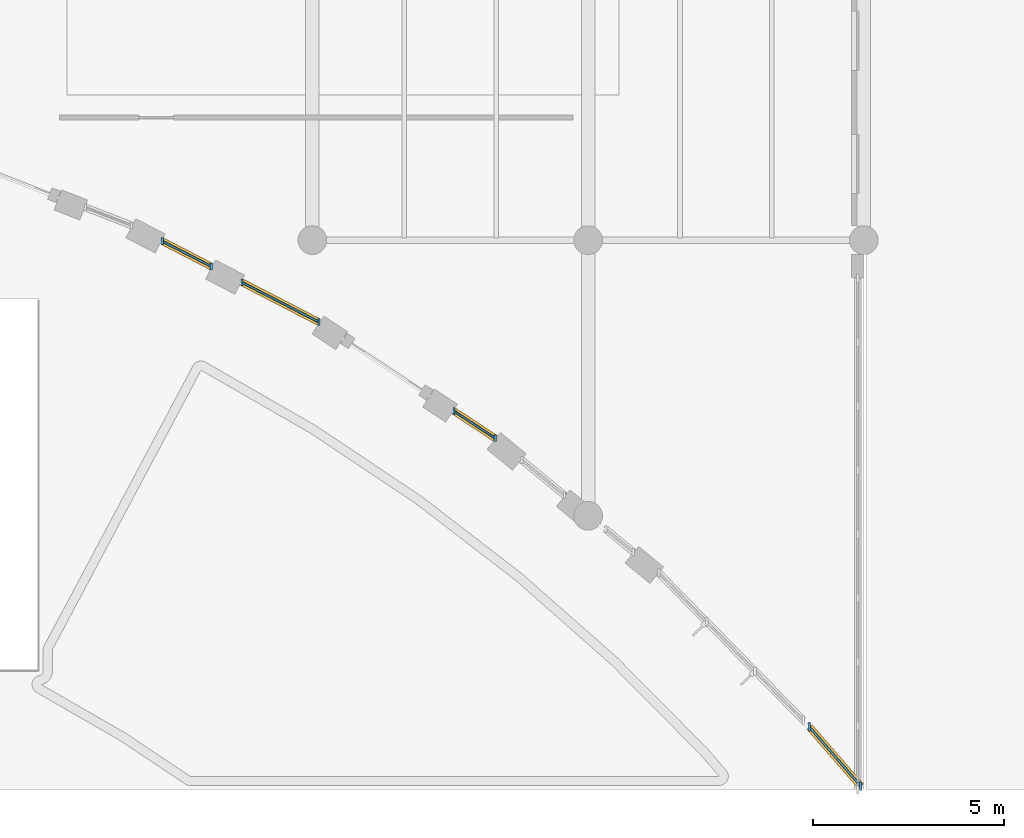
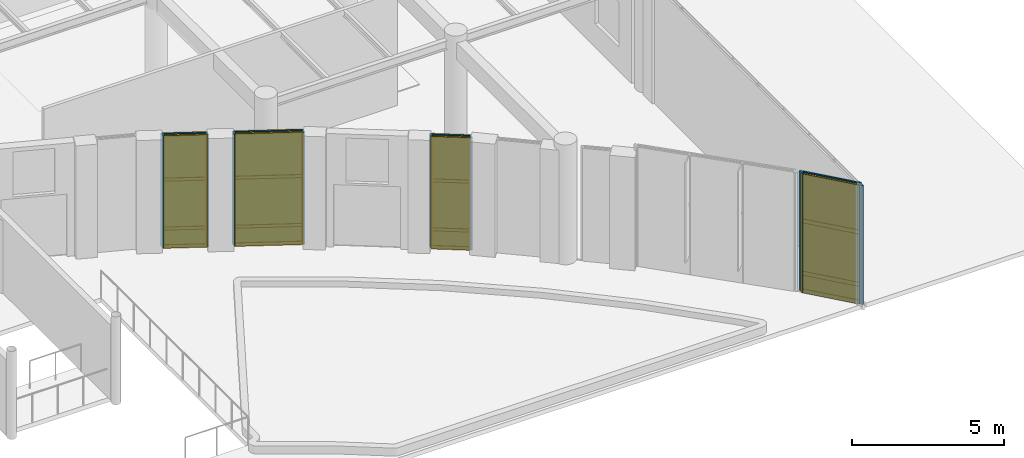
# One storey, part 79 of 122: 24 members, 12 plates, 4 curtain walls.
"""IFC4 building model written with IfcOpenShell, lengths in metres."""

from ifc_helpers import new_model, si_unit, direction, frame, frame_2d, origin, origin_2d, place, context, subcontext, project, spatial, rectangle, extrude, material, layer, layer_set, material_profile, profile_set, type_object, element, aggregate, save


model = new_model("IFC4")

# Units and contexts
model_context = context("Model", 3, precision=1e-05, world=origin(), true_north=direction((0.0, 1.0)))
body_context = subcontext(model_context, "Body", "Model", "MODEL_VIEW")
ifc_project = project(units=[si_unit("LENGTHUNIT", "METRE"), si_unit("AREAUNIT", "SQUARE_METRE"), si_unit("VOLUMEUNIT", "CUBIC_METRE"), si_unit("PLANEANGLEUNIT", "RADIAN"), si_unit("MASSUNIT", "GRAM", prefix="KILO")], contexts=[model_context])

# Member
ifc_material_1 = material(Name="Anodised Bronze Aluminium 6063-T6", Category="aluminium")
ifc_material_profile_1 = material_profile(ifc_material_1, rectangle(XDim=0.070068359375, YDim=0.219970703125, at=origin_2d()), Name="ALU MULLION 70x220")
ifc_profile_set_1 = profile_set([ifc_material_profile_1], Name="Anodised Bronze Aluminium 6063-T6")
member_type_1 = type_object("IfcMemberType", Name="Curtain-Wall Heavy Mullion 70x220", PredefinedType="MULLION", material=ifc_profile_set_1)
site_placement = place(None, origin())
building_placement = place(site_placement, origin())
storey_placement = place(building_placement, origin())
member_1_placement = place(storey_placement, frame((115.57861328125, 3.089111328125, 0.0), z_axis=(0.0, 0.0, 1.0), x_axis=(1.0, 0.0, 0.0)))
member_1 = element("IfcMember", 1, at=member_1_placement, type_object=member_type_1, Name="Mullion CWM-02 CW-V5-CRN-L00-C18-M01", PredefinedType="MULLION", context=body_context, shape_type="SweptSolid", body=[
    extrude(rectangle(XDim=0.070068359375, YDim=0.219970703125, at=origin_2d()), origin(), (0.0, 0.0, 1.0), 4.780029296875),
])

member_2_placement = place(storey_placement, frame((116.92138671875, 1.540771484375, 0.0), z_axis=(0.0, 0.0, 1.0), x_axis=(1.0, 0.0, 0.0)))
member_2 = element("IfcMember", 2, at=member_2_placement, type_object=member_type_1, Name="Mullion CWM-02 CW-V5-CRN-L00-C18-M02", PredefinedType="MULLION", context=body_context, shape_type="SweptSolid", body=[
    extrude(rectangle(XDim=0.070068359375, YDim=0.219970703125, at=origin_2d()), origin(), (0.0, 0.0, 1.0), 4.780029296875),
])

ifc_material_profile_2 = material_profile(ifc_material_1, rectangle(XDim=0.06005859375, YDim=0.159912109375, at=origin_2d()), Name="ALU TRANSOM 60x160")
ifc_profile_set_2 = profile_set([ifc_material_profile_2], Name="Anodised Bronze Aluminium 6063-T6")
member_type_2 = type_object("IfcMemberType", Name="Curtain-Wall Heavy Transom 60x160", PredefinedType="USERDEFINED", material=ifc_profile_set_2)
member_3_placement = place(storey_placement, frame((115.6015625, 3.062744140625, 0.0400390625), z_axis=(0.655127718536, -0.755518148297, 0.0), x_axis=(0.755518148297, 0.655127718536, 0.0)))
member_3 = element("IfcMember", 3, at=member_3_placement, type_object=member_type_2, Name="Transom CWT-02 CW-V5-CRN-L00-C18-T01.1", ObjectType="TRANSOM", PredefinedType="USERDEFINED", context=body_context, shape_type="SweptSolid", body=[
    extrude(rectangle(XDim=0.06005859375, YDim=0.159912109375, at=origin_2d()), origin(), (0.0, 0.0, 1.0), 1.9794921875),
])

member_4_placement = place(storey_placement, frame((115.6015625, 3.062744140625, 0.75), z_axis=(0.655127718536, -0.755518148297, 0.0), x_axis=(0.755518148297, 0.655127718536, 0.0)))
member_4 = element("IfcMember", 4, at=member_4_placement, type_object=member_type_2, Name="Transom CWT-02 CW-V5-CRN-L00-C18-T01.2", ObjectType="TRANSOM", PredefinedType="USERDEFINED", context=body_context, shape_type="SweptSolid", body=[
    extrude(rectangle(XDim=0.06005859375, YDim=0.159912109375, at=origin_2d()), origin(), (0.0, 0.0, 1.0), 1.9794921875),
])

member_5_placement = place(storey_placement, frame((115.6015625, 3.062744140625, 2.845703125), z_axis=(0.655127718536, -0.755518148297, 0.0), x_axis=(0.755518148297, 0.655127718536, 0.0)))
member_5 = element("IfcMember", 5, at=member_5_placement, type_object=member_type_2, Name="Transom CWT-02 CW-V5-CRN-L00-C18-T01.3", ObjectType="TRANSOM", PredefinedType="USERDEFINED", context=body_context, shape_type="SweptSolid", body=[
    extrude(rectangle(XDim=0.06005859375, YDim=0.159912109375, at=origin_2d()), origin(), (0.0, 0.0, 1.0), 1.9794921875),
])

member_6_placement = place(storey_placement, frame((115.6015625, 3.062744140625, 4.739990234375), z_axis=(0.655127718536, -0.755518148297, 0.0), x_axis=(0.755518148297, 0.655127718536, 0.0)))
member_6 = element("IfcMember", 6, at=member_6_placement, type_object=member_type_2, Name="Transom CWT-02 CW-V5-CRN-L00-C18-T01.4", ObjectType="TRANSOM", PredefinedType="USERDEFINED", context=body_context, shape_type="SweptSolid", body=[
    extrude(rectangle(XDim=0.06005859375, YDim=0.159912109375, at=origin_2d()), origin(), (0.0, 0.0, 1.0), 1.9794921875),
])

ifc_material_profile_3 = material_profile(ifc_material_1, rectangle(XDim=0.06005859375, YDim=0.1201171875, at=origin_2d()), Name="ALU TRANSOM 60x120")
ifc_profile_set_3 = profile_set([ifc_material_profile_3], Name="Anodised Bronze Aluminium 6063-T6")
member_type_3 = type_object("IfcMemberType", Name="Curtain-Wall Light Transom 60x120", PredefinedType="USERDEFINED", material=ifc_profile_set_3)
member_7_placement = place(storey_placement, frame((98.707763671875, 15.759521484375, 0.0400390625), z_axis=(0.888380031198, -0.459108832596, 0.0), x_axis=(0.459108832596, 0.888380031198, 0.0)))
member_7 = element("IfcMember", 7, at=member_7_placement, type_object=member_type_3, Name="Transom CWT-03 CW-V5-SLOT-C14-1-T01.1", ObjectType="TRANSOM", PredefinedType="USERDEFINED", context=body_context, shape_type="SweptSolid", body=[
    extrude(rectangle(XDim=0.06005859375, YDim=0.1201171875, at=origin_2d()), origin(), (0.0, 0.0, 1.0), 1.37451171875),
])

member_8_placement = place(storey_placement, frame((98.707763671875, 15.759521484375, 0.75), z_axis=(0.888380031198, -0.459108832596, 0.0), x_axis=(0.459108832596, 0.888380031198, 0.0)))
member_8 = element("IfcMember", 8, at=member_8_placement, type_object=member_type_3, Name="Transom CWT-03 CW-V5-SLOT-C14-1-T01.2", ObjectType="TRANSOM", PredefinedType="USERDEFINED", context=body_context, shape_type="SweptSolid", body=[
    extrude(rectangle(XDim=0.06005859375, YDim=0.1201171875, at=origin_2d()), origin(), (0.0, 0.0, 1.0), 1.37451171875),
])

member_9_placement = place(storey_placement, frame((98.707763671875, 15.759521484375, 2.71044921875), z_axis=(0.888380031198, -0.459108832596, 0.0), x_axis=(0.459108832596, 0.888380031198, 0.0)))
member_9 = element("IfcMember", 9, at=member_9_placement, type_object=member_type_3, Name="Transom CWT-03 CW-V5-SLOT-C14-1-T01.3", ObjectType="TRANSOM", PredefinedType="USERDEFINED", context=body_context, shape_type="SweptSolid", body=[
    extrude(rectangle(XDim=0.06005859375, YDim=0.1201171875, at=origin_2d()), origin(), (0.0, 0.0, 1.0), 1.37451171875),
])

member_10_placement = place(storey_placement, frame((98.707763671875, 15.759521484375, 4.47998046875), z_axis=(0.888380031198, -0.459108832596, 0.0), x_axis=(0.459108832596, 0.888380031198, 0.0)))
member_10 = element("IfcMember", 10, at=member_10_placement, type_object=member_type_3, Name="Transom CWT-03 CW-V5-SLOT-C14-1-T01.4", ObjectType="TRANSOM", PredefinedType="USERDEFINED", context=body_context, shape_type="SweptSolid", body=[
    extrude(rectangle(XDim=0.06005859375, YDim=0.1201171875, at=origin_2d()), origin(), (0.0, 0.0, 1.0), 1.37451171875),
])

member_11_placement = place(storey_placement, frame((100.790771484375, 14.68310546875, 0.0400390625), z_axis=(0.888363152482, -0.459141491604, 0.0), x_axis=(0.459141491604, 0.888363152482, 0.0)))
member_11 = element("IfcMember", 11, at=member_11_placement, type_object=member_type_3, Name="Transom CWT-03 CW-V5-SLOT-C14-2-T01.1", ObjectType="TRANSOM", PredefinedType="USERDEFINED", context=body_context, shape_type="SweptSolid", body=[
    extrude(rectangle(XDim=0.06005859375, YDim=0.1201171875, at=origin_2d()), origin(), (0.0, 0.0, 1.0), 2.195068359375),
])

member_12_placement = place(storey_placement, frame((100.790771484375, 14.68310546875, 0.75), z_axis=(0.888363152482, -0.459141491604, 0.0), x_axis=(0.459141491604, 0.888363152482, 0.0)))
member_12 = element("IfcMember", 12, at=member_12_placement, type_object=member_type_3, Name="Transom CWT-03 CW-V5-SLOT-C14-2-T01.2", ObjectType="TRANSOM", PredefinedType="USERDEFINED", context=body_context, shape_type="SweptSolid", body=[
    extrude(rectangle(XDim=0.06005859375, YDim=0.1201171875, at=origin_2d()), origin(), (0.0, 0.0, 1.0), 2.195068359375),
])

member_13_placement = place(storey_placement, frame((100.790771484375, 14.68310546875, 2.71044921875), z_axis=(0.888363152482, -0.459141491604, 0.0), x_axis=(0.459141491604, 0.888363152482, 0.0)))
member_13 = element("IfcMember", 13, at=member_13_placement, type_object=member_type_3, Name="Transom CWT-03 CW-V5-SLOT-C14-2-T01.3", ObjectType="TRANSOM", PredefinedType="USERDEFINED", context=body_context, shape_type="SweptSolid", body=[
    extrude(rectangle(XDim=0.06005859375, YDim=0.1201171875, at=origin_2d()), origin(), (0.0, 0.0, 1.0), 2.195068359375),
])

member_14_placement = place(storey_placement, frame((100.790771484375, 14.68310546875, 4.47998046875), z_axis=(0.888363152482, -0.459141491604, 0.0), x_axis=(0.459141491604, 0.888363152482, 0.0)))
member_14 = element("IfcMember", 14, at=member_14_placement, type_object=member_type_3, Name="Transom CWT-03 CW-V5-SLOT-C14-2-T01.4", ObjectType="TRANSOM", PredefinedType="USERDEFINED", context=body_context, shape_type="SweptSolid", body=[
    extrude(rectangle(XDim=0.06005859375, YDim=0.1201171875, at=origin_2d()), origin(), (0.0, 0.0, 1.0), 2.195068359375),
])

member_15_placement = place(storey_placement, frame((106.32470703125, 11.318115234375, 0.0400390625), z_axis=(0.834872493483, -0.550443384579, 0.0), x_axis=(0.550443384579, 0.834872493483, 0.0)))
member_15 = element("IfcMember", 15, at=member_15_placement, type_object=member_type_3, Name="Transom CWT-03 CW-V5-SLOT-C15-2-T01.1", ObjectType="TRANSOM", PredefinedType="USERDEFINED", context=body_context, shape_type="SweptSolid", body=[
    extrude(rectangle(XDim=0.06005859375, YDim=0.1201171875, at=origin_2d()), origin(), (0.0, 0.0, 1.0), 1.2197265625),
])

member_16_placement = place(storey_placement, frame((106.32470703125, 11.318115234375, 0.75), z_axis=(0.834872493483, -0.550443384579, 0.0), x_axis=(0.550443384579, 0.834872493483, 0.0)))
member_16 = element("IfcMember", 16, at=member_16_placement, type_object=member_type_3, Name="Transom CWT-03 CW-V5-SLOT-C15-2-T01.2", ObjectType="TRANSOM", PredefinedType="USERDEFINED", context=body_context, shape_type="SweptSolid", body=[
    extrude(rectangle(XDim=0.06005859375, YDim=0.1201171875, at=origin_2d()), origin(), (0.0, 0.0, 1.0), 1.2197265625),
])

member_17_placement = place(storey_placement, frame((106.32470703125, 11.318115234375, 2.71044921875), z_axis=(0.834872493483, -0.550443384579, 0.0), x_axis=(0.550443384579, 0.834872493483, 0.0)))
member_17 = element("IfcMember", 17, at=member_17_placement, type_object=member_type_3, Name="Transom CWT-03 CW-V5-SLOT-C15-2-T01.3", ObjectType="TRANSOM", PredefinedType="USERDEFINED", context=body_context, shape_type="SweptSolid", body=[
    extrude(rectangle(XDim=0.06005859375, YDim=0.1201171875, at=origin_2d()), origin(), (0.0, 0.0, 1.0), 1.2197265625),
])

member_18_placement = place(storey_placement, frame((106.32470703125, 11.318115234375, 4.47998046875), z_axis=(0.834872493483, -0.550443384579, 0.0), x_axis=(0.550443384579, 0.834872493483, 0.0)))
member_18 = element("IfcMember", 18, at=member_18_placement, type_object=member_type_3, Name="Transom CWT-03 CW-V5-SLOT-C15-2-T01.4", ObjectType="TRANSOM", PredefinedType="USERDEFINED", context=body_context, shape_type="SweptSolid", body=[
    extrude(rectangle(XDim=0.06005859375, YDim=0.1201171875, at=origin_2d()), origin(), (0.0, 0.0, 1.0), 1.2197265625),
])

ifc_material_profile_4 = material_profile(ifc_material_1, rectangle(XDim=0.06005859375, YDim=0.179931640625, at=origin_2d()), Name="ALU MULLION 60x180")
ifc_profile_set_4 = profile_set([ifc_material_profile_4], Name="Anodised Bronze Aluminium 6063-T6")
member_type_4 = type_object("IfcMemberType", Name="Curtain-Wall Primary Mullion 60x180", PredefinedType="MULLION", material=ifc_profile_set_4)
member_19_placement = place(storey_placement, frame((98.676513671875, 15.775634765625, 0.0), z_axis=(0.0, 0.0, 1.0), x_axis=(1.0, 0.0, 0.0)))
member_19 = element("IfcMember", 19, at=member_19_placement, type_object=member_type_4, Name="Mullion CWM-01 CW-V5-SLOT-C14-1-M01", PredefinedType="MULLION", context=body_context, shape_type="SweptSolid", body=[
    extrude(rectangle(XDim=0.06005859375, YDim=0.179931640625, at=origin_2d()), origin(), (0.0, 0.0, 1.0), 4.52001953125),
])

member_20_placement = place(storey_placement, frame((99.960205078125, 15.1123046875, 0.0), z_axis=(0.0, 0.0, 1.0), x_axis=(1.0, 0.0, 0.0)))
member_20 = element("IfcMember", 20, at=member_20_placement, type_object=member_type_4, Name="Mullion CWM-01 CW-V5-SLOT-C14-1-M02", PredefinedType="MULLION", context=body_context, shape_type="SweptSolid", body=[
    extrude(rectangle(XDim=0.06005859375, YDim=0.179931640625, at=origin_2d()), origin(), (0.0, 0.0, 1.0), 4.52001953125),
])

member_21_placement = place(storey_placement, frame((100.759765625, 14.69921875, 0.0), z_axis=(0.0, 0.0, 1.0), x_axis=(1.0, 0.0, 0.0)))
member_21 = element("IfcMember", 21, at=member_21_placement, type_object=member_type_4, Name="Mullion CWM-01 CW-V5-SLOT-C14-2-M01", PredefinedType="MULLION", context=body_context, shape_type="SweptSolid", body=[
    extrude(rectangle(XDim=0.06005859375, YDim=0.179931640625, at=origin_2d()), origin(), (0.0, 0.0, 1.0), 4.52001953125),
])

member_22_placement = place(storey_placement, frame((102.771728515625, 13.6591796875, 0.0), z_axis=(0.0, 0.0, 1.0), x_axis=(1.0, 0.0, 0.0)))
member_22 = element("IfcMember", 22, at=member_22_placement, type_object=member_type_4, Name="Mullion CWM-01 CW-V5-SLOT-C14-2-M02", PredefinedType="MULLION", context=body_context, shape_type="SweptSolid", body=[
    extrude(rectangle(XDim=0.06005859375, YDim=0.179931640625, at=origin_2d()), origin(), (0.0, 0.0, 1.0), 4.52001953125),
])

member_23_placement = place(storey_placement, frame((106.295654296875, 11.33740234375, 0.0), z_axis=(0.0, 0.0, 1.0), x_axis=(1.0, 0.0, 0.0)))
member_23 = element("IfcMember", 23, at=member_23_placement, type_object=member_type_4, Name="Mullion CWM-01 CW-V5-SLOT-C15-2-M01", PredefinedType="MULLION", context=body_context, shape_type="SweptSolid", body=[
    extrude(rectangle(XDim=0.06005859375, YDim=0.179931640625, at=origin_2d()), origin(), (0.0, 0.0, 1.0), 4.52001953125),
])

member_24_placement = place(storey_placement, frame((107.372314453125, 10.62744140625, 0.0), z_axis=(0.0, 0.0, 1.0), x_axis=(1.0, 0.0, 0.0)))
member_24 = element("IfcMember", 24, at=member_24_placement, type_object=member_type_4, Name="Mullion CWM-01 CW-V5-SLOT-C15-2-M02", PredefinedType="MULLION", context=body_context, shape_type="SweptSolid", body=[
    extrude(rectangle(XDim=0.06005859375, YDim=0.179931640625, at=origin_2d()), origin(), (0.0, 0.0, 1.0), 4.52001953125),
])

# Plate
ifc_material_2 = material(Name="Double Low-E Acoustic Laminated Glass", Category="glass")
ifc_layer_1 = layer(ifc_material_2, 0.0439453125, Name="Double Low-E Acoustic Laminated Glass")
ifc_layer_set_1 = layer_set([ifc_layer_1], Name="Double Low-E Acoustic Laminated Glass")
plate_type_1 = type_object("IfcPlateType", Name="Acoustic Laminated Low-E Glazing Unit 44", PredefinedType="CURTAIN_PANEL", material=ifc_layer_set_1)
plate_1_placement = place(storey_placement, frame((99.318359375, 15.444091796875, 0.780029296875), z_axis=(0.0, 0.0, 1.0), x_axis=(0.8883529221, -0.459161285167, 0.0)))
plate_1 = element("IfcPlate", 25, at=plate_1_placement, type_object=plate_type_1, Name="Curtain Panel CWP-01 CW-V5-SLOT-C14-1-P01.2", PredefinedType="CURTAIN_PANEL", context=body_context, shape_type="SweptSolid", body=[
    extrude(rectangle(XDim=1.374755859375, YDim=0.0439453125, at=origin_2d()), origin(), (0.0, 0.0, 1.0), 1.900390625),
])

plate_2_placement = place(storey_placement, frame((99.318359375, 15.444091796875, 2.740234375), z_axis=(0.0, 0.0, 1.0), x_axis=(0.8883529221, -0.459161285167, 0.0)))
plate_2 = element("IfcPlate", 26, at=plate_2_placement, type_object=plate_type_1, Name="Curtain Panel CWP-01 CW-V5-SLOT-C14-1-P01.3", PredefinedType="CURTAIN_PANEL", context=body_context, shape_type="SweptSolid", body=[
    extrude(rectangle(XDim=1.374755859375, YDim=0.0439453125, at=origin_2d()), origin(), (0.0, 0.0, 1.0), 1.709716796875),
])

plate_3_placement = place(storey_placement, frame((101.765625, 14.17919921875, 0.780029296875), z_axis=(0.0, 0.0, 1.0), x_axis=(0.888351319319, -0.459164386101, 0.0)))
plate_3 = element("IfcPlate", 27, at=plate_3_placement, type_object=plate_type_1, Name="Curtain Panel CWP-01 CW-V5-SLOT-C14-2-P01.2", PredefinedType="CURTAIN_PANEL", context=body_context, shape_type="SweptSolid", body=[
    extrude(rectangle(XDim=2.195068359375, YDim=0.0439453125, at=origin_2d()), origin(), (0.0, 0.0, 1.0), 1.900390625),
])

plate_4_placement = place(storey_placement, frame((101.765625, 14.17919921875, 2.740234375), z_axis=(0.0, 0.0, 1.0), x_axis=(0.888351319319, -0.459164386101, 0.0)))
plate_4 = element("IfcPlate", 28, at=plate_4_placement, type_object=plate_type_1, Name="Curtain Panel CWP-01 CW-V5-SLOT-C14-2-P01.3", PredefinedType="CURTAIN_PANEL", context=body_context, shape_type="SweptSolid", body=[
    extrude(rectangle(XDim=2.195068359375, YDim=0.0439453125, at=origin_2d()), origin(), (0.0, 0.0, 1.0), 1.709716796875),
])

plate_5_placement = place(storey_placement, frame((106.833984375, 10.982421875, 0.780029296875), z_axis=(0.0, 0.0, 1.0), x_axis=(0.834795017059, -0.55056087719, 0.0)))
plate_5 = element("IfcPlate", 29, at=plate_5_placement, type_object=plate_type_1, Name="Curtain Panel CWP-01 CW-V5-SLOT-C15-2-P01.2", PredefinedType="CURTAIN_PANEL", context=body_context, shape_type="SweptSolid", body=[
    extrude(rectangle(XDim=1.2197265625, YDim=0.0439453125, at=origin_2d()), origin(), (0.0, 0.0, 1.0), 1.900390625),
])

plate_6_placement = place(storey_placement, frame((106.833984375, 10.982421875, 2.740234375), z_axis=(0.0, 0.0, 1.0), x_axis=(0.834795017059, -0.55056087719, 0.0)))
plate_6 = element("IfcPlate", 30, at=plate_6_placement, type_object=plate_type_1, Name="Curtain Panel CWP-01 CW-V5-SLOT-C15-2-P01.3", PredefinedType="CURTAIN_PANEL", context=body_context, shape_type="SweptSolid", body=[
    extrude(rectangle(XDim=1.2197265625, YDim=0.0439453125, at=origin_2d()), origin(), (0.0, 0.0, 1.0), 1.709716796875),
])

plate_7_placement = place(storey_placement, frame((116.25, 2.31494140625, 0.780029296875), z_axis=(0.0, 0.0, 1.0), x_axis=(0.655168134077, -0.755483101128, 0.0)))
plate_7 = element("IfcPlate", 31, at=plate_7_placement, type_object=plate_type_1, Name="Curtain Panel CWP-01 CW-V5-CRN-L00-C18-P01.2", PredefinedType="CURTAIN_PANEL", context=body_context, shape_type="SweptSolid", body=[
    extrude(rectangle(XDim=1.9794921875, YDim=0.0439453125, at=origin_2d()), origin(), (0.0, 0.0, 1.0), 2.03564453125),
])

plate_8_placement = place(storey_placement, frame((116.25, 2.31494140625, 2.87548828125), z_axis=(0.0, 0.0, 1.0), x_axis=(0.655168134077, -0.755483101128, 0.0)))
plate_8 = element("IfcPlate", 32, at=plate_8_placement, type_object=plate_type_1, Name="Curtain Panel CWP-01 CW-V5-CRN-L00-C18-P01.3", PredefinedType="CURTAIN_PANEL", context=body_context, shape_type="SweptSolid", body=[
    extrude(rectangle(XDim=1.9794921875, YDim=0.0439453125, at=origin_2d()), origin(), (0.0, 0.0, 1.0), 1.83447265625),
])

ifc_material_3 = material(Name="Ceramic-Fritted Tempered Laminated Glass", Category="glass")
ifc_layer_2 = layer(ifc_material_3, 0.0458984375, Name="Ceramic-Fritted Tempered Laminated Glass")
ifc_layer_set_2 = layer_set([ifc_layer_2], Name="Ceramic-Fritted Tempered Laminated Glass")
plate_type_2 = type_object("IfcPlateType", Name="Ceramic-Frit Acoustic Spandrel Glazing 46", PredefinedType="CURTAIN_PANEL", material=ifc_layer_set_2)
plate_9_placement = place(storey_placement, frame((99.318359375, 15.444091796875, 0.070068359375), z_axis=(0.0, 0.0, 1.0), x_axis=(0.8883529221, -0.459161285167, 0.0)))
plate_9 = element("IfcPlate", 33, at=plate_9_placement, type_object=plate_type_2, Name="Curtain Panel CWP-04 CW-V5-SLOT-C14-1-P01.1", PredefinedType="CURTAIN_PANEL", context=body_context, shape_type="SweptSolid", body=[
    extrude(rectangle(XDim=1.374755859375, YDim=0.0458984375, at=origin_2d()), origin(), (0.0, 0.0, 1.0), 0.64990234375),
])

plate_10_placement = place(storey_placement, frame((101.765625, 14.17919921875, 0.070068359375), z_axis=(0.0, 0.0, 1.0), x_axis=(0.888351319319, -0.459164386101, 0.0)))
plate_10 = element("IfcPlate", 34, at=plate_10_placement, type_object=plate_type_2, Name="Curtain Panel CWP-04 CW-V5-SLOT-C14-2-P01.1", PredefinedType="CURTAIN_PANEL", context=body_context, shape_type="SweptSolid", body=[
    extrude(rectangle(XDim=2.195068359375, YDim=0.0458984375, at=origin_2d()), origin(), (0.0, 0.0, 1.0), 0.64990234375),
])

plate_11_placement = place(storey_placement, frame((106.833984375, 10.982421875, 0.070068359375), z_axis=(0.0, 0.0, 1.0), x_axis=(0.834795017059, -0.55056087719, 0.0)))
plate_11 = element("IfcPlate", 35, at=plate_11_placement, type_object=plate_type_2, Name="Curtain Panel CWP-04 CW-V5-SLOT-C15-2-P01.1", PredefinedType="CURTAIN_PANEL", context=body_context, shape_type="SweptSolid", body=[
    extrude(rectangle(XDim=1.2197265625, YDim=0.0458984375, at=origin_2d()), origin(), (0.0, 0.0, 1.0), 0.64990234375),
])

plate_12_placement = place(storey_placement, frame((116.25, 2.31494140625, 0.070068359375), z_axis=(0.0, 0.0, 1.0), x_axis=(0.655168134077, -0.755483101128, 0.0)))
plate_12 = element("IfcPlate", 36, at=plate_12_placement, type_object=plate_type_2, Name="Curtain Panel CWP-04 CW-V5-CRN-L00-C18-P01.1", PredefinedType="CURTAIN_PANEL", context=body_context, shape_type="SweptSolid", body=[
    extrude(rectangle(XDim=1.9794921875, YDim=0.0458984375, at=origin_2d()), origin(), (0.0, 0.0, 1.0), 0.64990234375),
])

# Site, building, storey
site = spatial("IfcSite", under=ifc_project, at=site_placement, CompositionType="ELEMENT")
building = spatial("IfcBuilding", under=site, at=building_placement, Name="Tazoul Stagehouse", CompositionType="ELEMENT")
storey = spatial("IfcBuildingStorey", under=building, at=storey_placement, Name="L00", CompositionType="ELEMENT", Elevation=0.0)

# Curtain wall
curtain_wall_type_1 = type_object("IfcCurtainWallType", Name="Crescent Double-Skin Acoustic Curtain Wall", PredefinedType="NOTDEFINED", material=ifc_material_1)
curtain_wall_1_placement = place(storey_placement, frame((115.57861328125, 3.089111328125, 0.0), z_axis=(0.0, 0.0, 1.0), x_axis=(0.655175401154, -0.755476798931, 0.0)))
curtain_wall_1 = element("IfcCurtainWall", 37, at=curtain_wall_1_placement, inside=storey, type_object=curtain_wall_type_1, Name="L00 Curtain Wall CW-01 (CW-V5-CRN-L00-C18)", PredefinedType="NOTDEFINED", context=body_context, shape_type="SweptSolid", body=[
    extrude(rectangle(XDim=2.049560546875, YDim=0.179931640625, at=frame_2d((1.02490234375, 0.0))), origin(), (0.0, 0.0, 1.0), 4.780029296875),
])

aggregate(curtain_wall_1, [member_1, member_2, member_3, member_4, member_5, member_6, plate_12, plate_7, plate_8])

curtain_wall_type_2 = type_object("IfcCurtainWallType", Name="Foyer Clear Solar-Control Curtain Wall", PredefinedType="NOTDEFINED", material=ifc_material_1)
curtain_wall_2_placement = place(storey_placement, frame((98.676513671875, 15.775634765625, 0.0), z_axis=(0.0, 0.0, 1.0), x_axis=(0.888400640903, -0.459068950425, 0.0)))
curtain_wall_2 = element("IfcCurtainWall", 38, at=curtain_wall_2_placement, inside=storey, type_object=curtain_wall_type_2, Name="L00 Curtain Wall CW-02 (CW-V5-SLOT-C14-1)", PredefinedType="NOTDEFINED", context=body_context, shape_type="SweptSolid", body=[
    extrude(rectangle(XDim=1.445068359375, YDim=0.179931640625, at=frame_2d((0.72265625, 0.0))), origin(), (0.0, 0.0, 1.0), 4.52001953125),
])

aggregate(curtain_wall_2, [member_19, member_20, member_7, member_8, member_9, member_10, plate_9, plate_1, plate_2])

curtain_wall_3_placement = place(storey_placement, frame((100.759765625, 14.69921875, 0.0), z_axis=(0.0, 0.0, 1.0), x_axis=(0.888331376141, -0.459202968373, 0.0)))
curtain_wall_3 = element("IfcCurtainWall", 39, at=curtain_wall_3_placement, inside=storey, type_object=curtain_wall_type_2, Name="L00 Curtain Wall CW-02 (CW-V5-SLOT-C14-2)", PredefinedType="NOTDEFINED", context=body_context, shape_type="SweptSolid", body=[
    extrude(rectangle(XDim=2.264892578125, YDim=0.179931640625, at=frame_2d((1.13232421875, 0.0))), origin(), (0.0, 0.0, 1.0), 4.52001953125),
])

aggregate(curtain_wall_3, [member_21, member_22, member_11, member_12, member_13, member_14, plate_10, plate_3, plate_4])

curtain_wall_4_placement = place(storey_placement, frame((106.295654296875, 11.33740234375, 0.0), z_axis=(0.0, 0.0, 1.0), x_axis=(0.834835616165, -0.550499313335, 0.0)))
curtain_wall_4 = element("IfcCurtainWall", 40, at=curtain_wall_4_placement, inside=storey, type_object=curtain_wall_type_2, Name="L00 Curtain Wall CW-02 (CW-V5-SLOT-C15-2)", PredefinedType="NOTDEFINED", context=body_context, shape_type="SweptSolid", body=[
    extrude(rectangle(XDim=1.28955078125, YDim=0.179931640625, at=frame_2d((0.644775390625, 0.0))), origin(), (0.0, 0.0, 1.0), 4.52001953125),
])

aggregate(curtain_wall_4, [member_23, member_24, member_15, member_16, member_17, member_18, plate_11, plate_5, plate_6])

save(model, "model.ifc")
